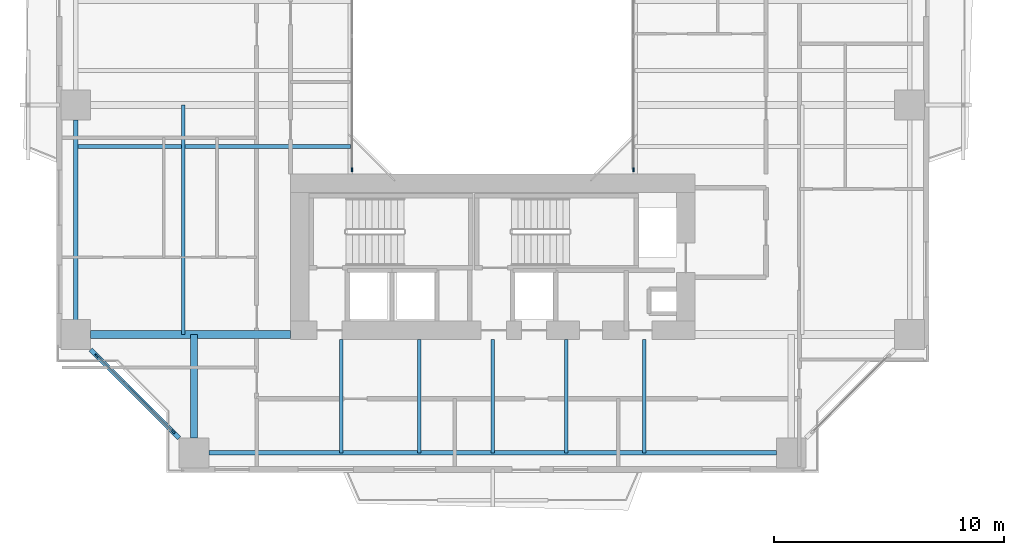
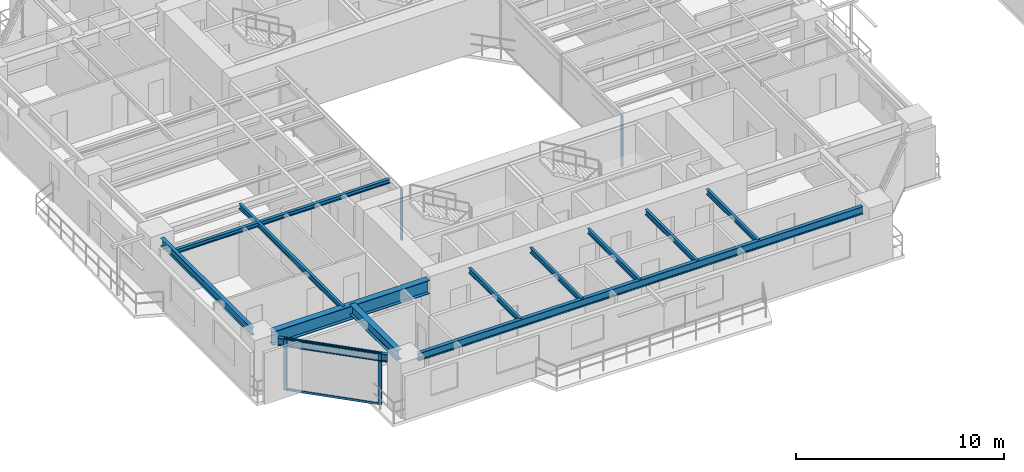
# One storey, part 2 of 23: 12 beams, 6 members, 3 elements without a shape of their own.
"""IFC4 building model written with IfcOpenShell, lengths in metres."""

from ifc_helpers import new_model, si_unit, direction, frame, origin, origin_2d, place, context, subcontext, project, spatial, rectangle, i_section, extrude, source, transform, mapped, material, layer, layer_set, material_profile, profile_set, type_object, element, aggregate, save


model = new_model("IFC4")

# Units and contexts
model_context = context("Model", 3, precision=1e-05, world=origin(), true_north=direction((0.0, 1.0)))
body_context = subcontext(model_context, "Body", "Model", "MODEL_VIEW")
ifc_project = project(units=[si_unit("LENGTHUNIT", "METRE"), si_unit("AREAUNIT", "SQUARE_METRE"), si_unit("VOLUMEUNIT", "CUBIC_METRE"), si_unit("PLANEANGLEUNIT", "RADIAN"), si_unit("MASSUNIT", "GRAM", prefix="KILO"), si_unit("THERMODYNAMICTEMPERATUREUNIT", "KELVIN"), si_unit("POWERUNIT", "WATT")], contexts=[model_context])

# Site, building, storey
site_placement = place(None, origin())
site = spatial("IfcSite", under=ifc_project, at=site_placement, CompositionType="ELEMENT")
building_placement = place(site_placement, origin())
building = spatial("IfcBuilding", under=site, at=building_placement, Name="Qiaomeng Ring Towers", CompositionType="ELEMENT")
storey_placement = place(building_placement, frame((0.0, 0.0, 89.25)))
storey = spatial("IfcBuildingStorey", under=building, at=storey_placement, Name="L25", CompositionType="ELEMENT", Elevation=89.25)

# Beams
ifc_material_1 = material(Name="Steel Q355B", Category="steel")
ifc_material_profile_1 = material_profile(ifc_material_1, i_section(OverallWidth=0.199951171875, OverallDepth=0.449951171875, WebThickness=0.009033203125, FlangeThickness=0.013916015625, FilletRadius=0.01806640625, at=origin_2d()), Name="HN 450x200x9x14")
ifc_profile_set_1 = profile_set([ifc_material_profile_1], Name="Steel Q355B")
beam_type_1 = type_object("IfcBeamType", Name="STR-BM-HN450", PredefinedType="SPANDREL", material=ifc_profile_set_1)
shared_shape_1 = source(origin(), body_context, "Body", "SweptSolid", [
    extrude(i_section(OverallWidth=0.199951171875, OverallDepth=0.449951171875, WebThickness=0.009033203125, FlangeThickness=0.013916015625, FilletRadius=0.01806640625, at=origin_2d()), origin(), (0.0, 0.0, 1.0), 24.7021484375),
])
beam_1_placement = place(storey_placement, frame((6.64892578125, 4.85009765625, 2.804931640625), z_axis=(1.0, 0.0, 0.0), x_axis=(0.0, 1.0, 0.0)))
element("IfcBeam", 1, at=beam_1_placement, inside=storey, type_object=beam_type_1, Name="L25 beam STR-SP-L25-T1-S1-S2", PredefinedType="SPANDREL", context=body_context, shape_type="MappedRepresentation", body=[
    mapped(shared_shape_1, transform((0.0, 0.0, 0.0), x_axis=(1.0, 0.0, 0.0), y_axis=(0.0, 1.0, 0.0), z_axis=(0.0, 0.0, 1.0), scale=1.0)),
])
shared_shape_2 = source(origin(), body_context, "Body", "SweptSolid", [
    extrude(i_section(OverallWidth=0.199951171875, OverallDepth=0.449951171875, WebThickness=0.009033203125, FlangeThickness=0.013916015625, FilletRadius=0.01806640625, at=origin_2d()), origin(), (0.0, 0.0, 1.0), 5.446533203125),
])
beam_2_placement = place(storey_placement, frame((1.499267578125, 9.3505859375, 2.804931640625), z_axis=(0.707106781187, -0.707106781187, 0.0), x_axis=(0.707106781187, 0.707106781187, 0.0)))
element("IfcBeam", 2, at=beam_2_placement, inside=storey, type_object=beam_type_1, Name="L25 beam STR-SP-L25-T1-W1-S1", PredefinedType="SPANDREL", context=body_context, shape_type="MappedRepresentation", body=[
    mapped(shared_shape_2, transform((0.0, 0.0, 0.0), x_axis=(1.0, 0.0, 0.0), y_axis=(0.0, 1.0, 0.0), z_axis=(0.0, 0.0, 1.0), scale=1.0)),
])
shared_shape_3 = source(origin(), body_context, "Body", "SweptSolid", [
    extrude(i_section(OverallWidth=0.199951171875, OverallDepth=0.449951171875, WebThickness=0.009033203125, FlangeThickness=0.013916015625, FilletRadius=0.01806640625, at=origin_2d()), origin(), (0.0, 0.0, 1.0), 8.7021484375),
])
beam_3_placement = place(storey_placement, frame((0.85009765625, 19.35107421875, 2.804931640625), z_axis=(0.0, -1.0, 0.0), x_axis=(1.0, 0.0, 0.0)))
element("IfcBeam", 3, at=beam_3_placement, inside=storey, type_object=beam_type_1, Name="L25 beam STR-SP-L25-T1-W2-W1", PredefinedType="SPANDREL", context=body_context, shape_type="MappedRepresentation", body=[
    mapped(shared_shape_3, transform((0.0, 0.0, 0.0), x_axis=(1.0, 0.0, 0.0), y_axis=(0.0, 1.0, 0.0), z_axis=(0.0, 0.0, 1.0), scale=1.0)),
])
ifc_material_2 = material(Name="Steel Q390GJC", Category="steel")
ifc_material_profile_2 = material_profile(ifc_material_2, i_section(OverallWidth=0.35009765625, OverallDepth=0.800048828125, WebThickness=0.01611328125, FlangeThickness=0.028076171875, at=origin_2d()), Name="WH 800x350x16x28")
ifc_profile_set_2 = profile_set([ifc_material_profile_2], Name="Steel Q390GJC")
beam_type_2 = type_object("IfcBeamType", Name="STR-BM-WH800", PredefinedType="BEAM", material=ifc_profile_set_2)
shared_shape_4 = source(origin(), body_context, "Body", "SweptSolid", [
    extrude(i_section(OverallWidth=0.35009765625, OverallDepth=0.800048828125, WebThickness=0.01611328125, FlangeThickness=0.028076171875, at=origin_2d()), origin(), (0.0, 0.0, 1.0), 8.700927734375),
])
beam_4_placement = place(storey_placement, frame((1.4990234375, 10.0, 2.6298828125), z_axis=(1.0, 0.0, 0.0), x_axis=(0.0, 1.0, 0.0)))
element("IfcBeam", 4, at=beam_4_placement, inside=storey, type_object=beam_type_2, Name="L25 beam STR-BM-L25-T1-RAD-W1", PredefinedType="BEAM", context=body_context, shape_type="MappedRepresentation", body=[
    mapped(shared_shape_4, transform((0.0, 0.0, 0.0), x_axis=(1.0, 0.0, 0.0), y_axis=(0.0, 1.0, 0.0), z_axis=(0.0, 0.0, 1.0), scale=1.0)),
])
ifc_material_profile_3 = material_profile(ifc_material_1, i_section(OverallWidth=0.300048828125, OverallDepth=0.587890625, WebThickness=0.011962890625, FlangeThickness=0.02001953125, FilletRadius=0.028076171875, at=origin_2d()), Name="HM 588x300x12x20")
ifc_profile_set_3 = profile_set([ifc_material_profile_3], Name="Steel Q355B")
beam_type_3 = type_object("IfcBeamType", Name="STR-BM-HM588", PredefinedType="BEAM", material=ifc_profile_set_3)
shared_shape_5 = source(origin(), body_context, "Body", "SweptSolid", [
    extrude(i_section(OverallWidth=0.300048828125, OverallDepth=0.587890625, WebThickness=0.011962890625, FlangeThickness=0.02001953125, FilletRadius=0.028076171875, at=origin_2d()), origin(), (0.0, 0.0, 1.0), 4.5009765625),
])
beam_5_placement = place(storey_placement, frame((6.0, 5.4990234375, 2.736083984375), z_axis=(0.0, 1.0, 0.0), x_axis=(-1.0, 0.0, 0.0)))
element("IfcBeam", 5, at=beam_5_placement, inside=storey, type_object=beam_type_3, Name="L25 beam STR-BM-L25-T1-RAD-S1", PredefinedType="BEAM", context=body_context, shape_type="MappedRepresentation", body=[
    mapped(shared_shape_5, transform((0.0, 0.0, 0.0), x_axis=(1.0, 0.0, 0.0), y_axis=(0.0, 1.0, 0.0), z_axis=(0.0, 0.0, 1.0), scale=1.0)),
])
ifc_material_profile_4 = material_profile(ifc_material_1, i_section(OverallWidth=0.14990234375, OverallDepth=0.300048828125, WebThickness=0.006591796875, FlangeThickness=0.009033203125, FilletRadius=0.012939453125, at=origin_2d()), Name="HN 300x150x6.5x9")
ifc_profile_set_4 = profile_set([ifc_material_profile_4], Name="Steel Q355B")
beam_type_4 = type_object("IfcBeamType", Name="STR-BM-HN300", PredefinedType="JOIST", material=ifc_profile_set_4)
shared_shape_6 = source(origin(), body_context, "Body", "SweptSolid", [
    extrude(i_section(OverallWidth=0.14990234375, OverallDepth=0.300048828125, WebThickness=0.006591796875, FlangeThickness=0.009033203125, FilletRadius=0.012939453125, at=origin_2d()), origin(), (0.0, 0.0, 1.0), 4.949951171875),
])
for number, where, z_axis, x_axis, name in (
    (6, (12.39990234375, 4.85009765625, 2.8798828125), (0.0, 1.0, 0.0), (-1.0, 0.0, 0.0), "L25 beam STR-JST-L25-T1S-1"),
    (7, (15.800048828125, 4.85009765625, 2.8798828125), (0.0, 1.0, 0.0), (-1.0, 0.0, 0.0), "L25 beam STR-JST-L25-T1S-2"),
    (8, (19.0, 4.85009765625, 2.8798828125), (0.0, 1.0, 0.0), (-1.0, 0.0, 0.0), "L25 beam STR-JST-L25-T1S-3"),
    (9, (22.199951171875, 4.85009765625, 2.8798828125), (0.0, 1.0, 0.0), (-1.0, 0.0, 0.0), "L25 beam STR-JST-L25-T1S-4"),
    (10, (25.60009765625, 4.85009765625, 2.8798828125), (0.0, 1.0, 0.0), (-1.0, 0.0, 0.0), "L25 beam STR-JST-L25-T1S-5"),
):
    element("IfcBeam", number, at=place(storey_placement, frame(where, z_axis=z_axis, x_axis=x_axis)), inside=storey, type_object=beam_type_4, Name=name, PredefinedType="JOIST", context=body_context, shape_type="MappedRepresentation", body=[
        mapped(shared_shape_6, transform((0.0, 0.0, 0.0), x_axis=(1.0, 0.0, 0.0), y_axis=(0.0, 1.0, 0.0), z_axis=(0.0, 0.0, 1.0), scale=1.0)),
    ])
ifc_material_profile_5 = material_profile(ifc_material_1, i_section(OverallWidth=0.175048828125, OverallDepth=0.243896484375, WebThickness=0.007080078125, FlangeThickness=0.010986328125, FilletRadius=0.01611328125, at=origin_2d()), Name="HM 244x175x7x11")
ifc_profile_set_5 = profile_set([ifc_material_profile_5], Name="Steel Q355B")
beam_type_5 = type_object("IfcBeamType", Name="STR-BM-HM244", PredefinedType="JOIST", material=ifc_profile_set_5)
shared_shape_7 = source(origin(), body_context, "Body", "SweptSolid", [
    extrude(i_section(OverallWidth=0.175048828125, OverallDepth=0.243896484375, WebThickness=0.007080078125, FlangeThickness=0.010986328125, FilletRadius=0.01611328125, at=origin_2d()), origin(), (0.0, 0.0, 1.0), 11.949951171875),
])
beam_6_placement = place(storey_placement, frame((0.85009765625, 18.199951171875, 2.907958984375), z_axis=(1.0, 0.0, 0.0), x_axis=(0.0, 1.0, 0.0)))
element("IfcBeam", 11, at=beam_6_placement, inside=storey, type_object=beam_type_5, Name="L25 beam STR-JST-L25-T1W-1", PredefinedType="JOIST", context=body_context, shape_type="MappedRepresentation", body=[
    mapped(shared_shape_7, transform((0.0, 0.0, 0.0), x_axis=(1.0, 0.0, 0.0), y_axis=(0.0, 1.0, 0.0), z_axis=(0.0, 0.0, 1.0), scale=1.0)),
])
shared_shape_8 = source(origin(), body_context, "Body", "SweptSolid", [
    extrude(i_section(OverallWidth=0.14990234375, OverallDepth=0.300048828125, WebThickness=0.006591796875, FlangeThickness=0.009033203125, FilletRadius=0.012939453125, at=origin_2d()), origin(), (0.0, 0.0, 1.0), 10.0),
])
beam_7_placement = place(storey_placement, frame((5.52490234375, 10.0, 2.8798828125), z_axis=(0.0, 1.0, 0.0), x_axis=(-1.0, 0.0, 0.0)))
element("IfcBeam", 12, at=beam_7_placement, inside=storey, type_object=beam_type_4, Name="L25 beam STR-JST-L25-T1C-WS", PredefinedType="JOIST", context=body_context, shape_type="MappedRepresentation", body=[
    mapped(shared_shape_8, transform((0.0, 0.0, 0.0), x_axis=(1.0, 0.0, 0.0), y_axis=(0.0, 1.0, 0.0), z_axis=(0.0, 0.0, 1.0), scale=1.0)),
])

# Curtain wall, members
ifc_material_3 = material(Name="Fluorocarbon dark-grey aluminium", Category="aluminium")
ifc_layer_1 = layer(ifc_material_3, 0.159912109375, Name="Fluorocarbon dark-grey aluminium")
ifc_layer_set_1 = layer_set([ifc_layer_1], Name="Fluorocarbon dark-grey aluminium")
curtain_wall_type_1 = type_object("IfcCurtainWallType", Name="ARC-CW-2", PredefinedType="NOTDEFINED", material=ifc_layer_set_1)
curtain_wall_1_placement = place(storey_placement, origin())
curtain_wall_1 = element("IfcCurtainWall", 13, at=curtain_wall_1_placement, inside=storey, type_object=curtain_wall_type_1, Name="L25 Curtain Wall CW2", PredefinedType="NOTDEFINED")
ifc_material_profile_6 = material_profile(ifc_material_3, rectangle(XDim=0.06494140625, YDim=0.1298828125, at=origin_2d()), Name="ALU TRAN 65x130")
ifc_profile_set_6 = profile_set([ifc_material_profile_6], Name="Fluorocarbon dark-grey aluminium")
member_type_1 = type_object("IfcMemberType", Name="ARC-CWT-120", PredefinedType="USERDEFINED", material=ifc_profile_set_6)
shared_shape_9 = source(origin(), body_context, "Body", "SweptSolid", [
    extrude(rectangle(XDim=0.06494140625, YDim=0.1298828125, at=origin_2d()), origin(), (0.0, 0.0, 1.0), 4.6259765625),
])
member_1_placement = place(storey_placement, frame((1.78955078125, 9.060546875, 0.032470703125), z_axis=(0.707106781187, -0.707106781187, 0.0), x_axis=(0.707106781187, 0.707106781187, 0.0)))
member_1 = element("IfcMember", 14, at=member_1_placement, type_object=member_type_1, Name="CW2 transom 1.1", ObjectType="TRANSOM", PredefinedType="USERDEFINED", context=body_context, shape_type="MappedRepresentation", body=[
    mapped(shared_shape_9, transform((0.0, 0.0, 0.0), x_axis=(1.0, 0.0, 0.0), y_axis=(0.0, 1.0, 0.0), z_axis=(0.0, 0.0, 1.0), scale=1.0)),
])
member_2_placement = place(storey_placement, frame((1.78955078125, 9.060546875, 2.99755859375), z_axis=(0.707106781187, -0.707106781187, 0.0), x_axis=(0.707106781187, 0.707106781187, 0.0)))
member_2 = element("IfcMember", 15, at=member_2_placement, type_object=member_type_1, Name="CW2 transom 1.2", ObjectType="TRANSOM", PredefinedType="USERDEFINED", context=body_context, shape_type="MappedRepresentation", body=[
    mapped(shared_shape_9, transform((0.0, 0.0, 0.0), x_axis=(1.0, 0.0, 0.0), y_axis=(0.0, 1.0, 0.0), z_axis=(0.0, 0.0, 1.0), scale=1.0)),
])

# Curtain wall, member
ifc_layer_2 = layer(ifc_material_3, 0.139892578125, Name="Fluorocarbon dark-grey aluminium")
ifc_layer_set_2 = layer_set([ifc_layer_2], Name="Fluorocarbon dark-grey aluminium")
curtain_wall_type_2 = type_object("IfcCurtainWallType", Name="ARC-CW-4", PredefinedType="NOTDEFINED", material=ifc_layer_set_2)
curtain_wall_2_placement = place(storey_placement, origin())
curtain_wall_2 = element("IfcCurtainWall", 16, at=curtain_wall_2_placement, inside=storey, type_object=curtain_wall_type_2, Name="L25 Curtain Wall CW4", PredefinedType="NOTDEFINED")
ifc_material_profile_7 = material_profile(ifc_material_3, rectangle(XDim=0.06494140625, YDim=0.159912109375, at=origin_2d()), Name="ALU MULL 65x160")
ifc_profile_set_7 = profile_set([ifc_material_profile_7], Name="Fluorocarbon dark-grey aluminium")
member_type_2 = type_object("IfcMemberType", Name="ARC-CWM-140", PredefinedType="MULLION", material=ifc_profile_set_7)
shared_shape_10 = source(origin(), body_context, "Body", "SweptSolid", [
    extrude(rectangle(XDim=0.06494140625, YDim=0.159912109375, at=origin_2d()), origin(), (0.0, 0.0, 1.0), 3.030029296875),
])
member_3_placement = place(storey_placement, frame((12.8798828125, 17.1826171875, 0.0), z_axis=(0.0, 0.0, 1.0), x_axis=(-1.0, 0.0, 0.0)))
member_3 = element("IfcMember", 17, at=member_3_placement, type_object=member_type_2, Name="CW4 mullion 1", PredefinedType="MULLION", context=body_context, shape_type="MappedRepresentation", body=[
    mapped(shared_shape_10, transform((0.0, 0.0, 0.0), x_axis=(1.0, 0.0, 0.0), y_axis=(0.0, 1.0, 0.0), z_axis=(0.0, 0.0, 1.0), scale=1.0)),
])
aggregate(curtain_wall_2, [member_3])

curtain_wall_3_placement = place(storey_placement, origin())
curtain_wall_3 = element("IfcCurtainWall", 18, at=curtain_wall_3_placement, inside=storey, type_object=curtain_wall_type_2, Name="L25 Curtain Wall CW4", PredefinedType="NOTDEFINED")
member_4_placement = place(storey_placement, frame((25.1201171875, 17.1826171875, 0.0), z_axis=(0.0, 0.0, 1.0), x_axis=(-1.0, 0.0, 0.0)))
member_4 = element("IfcMember", 19, at=member_4_placement, type_object=member_type_2, Name="CW4 mullion 1", PredefinedType="MULLION", context=body_context, shape_type="MappedRepresentation", body=[
    mapped(shared_shape_10, transform((0.0, 0.0, 0.0), x_axis=(1.0, 0.0, 0.0), y_axis=(0.0, 1.0, 0.0), z_axis=(0.0, 0.0, 1.0), scale=1.0)),
])
aggregate(curtain_wall_3, [member_4])

# Member
ifc_material_profile_8 = material_profile(ifc_material_3, rectangle(XDim=0.070068359375, YDim=0.179931640625, at=origin_2d()), Name="ALU MULL 70x180")
ifc_profile_set_8 = profile_set([ifc_material_profile_8], Name="Fluorocarbon dark-grey aluminium")
member_type_3 = type_object("IfcMemberType", Name="ARC-CWM-160", PredefinedType="MULLION", material=ifc_profile_set_8)
shared_shape_11 = source(origin(), body_context, "Body", "SweptSolid", [
    extrude(rectangle(XDim=0.070068359375, YDim=0.179931640625, at=origin_2d()), origin(), (0.0, 0.0, 1.0), 3.030029296875),
])
member_5_placement = place(storey_placement, frame((1.7646484375, 9.085205078125, 0.0), z_axis=(0.0, 0.0, 1.0), x_axis=(0.707106781187, 0.707106781187, 0.0)))
member_5 = element("IfcMember", 20, at=member_5_placement, type_object=member_type_3, Name="CW2 mullion 1", PredefinedType="MULLION", context=body_context, shape_type="MappedRepresentation", body=[
    mapped(shared_shape_11, transform((0.0, 0.0, 0.0), x_axis=(1.0, 0.0, 0.0), y_axis=(0.0, 1.0, 0.0), z_axis=(0.0, 0.0, 1.0), scale=1.0)),
])

member_6_placement = place(storey_placement, frame((5.085205078125, 5.7646484375, 0.0), z_axis=(0.0, 0.0, 1.0), x_axis=(0.707106781187, 0.707106781187, 0.0)))
member_6 = element("IfcMember", 21, at=member_6_placement, type_object=member_type_3, Name="CW2 mullion 2", PredefinedType="MULLION", context=body_context, shape_type="MappedRepresentation", body=[
    mapped(shared_shape_11, transform((0.0, 0.0, 0.0), x_axis=(1.0, 0.0, 0.0), y_axis=(0.0, 1.0, 0.0), z_axis=(0.0, 0.0, 1.0), scale=1.0)),
])

aggregate(curtain_wall_1, [member_5, member_6, member_1, member_2])

save(model, "model.ifc")
